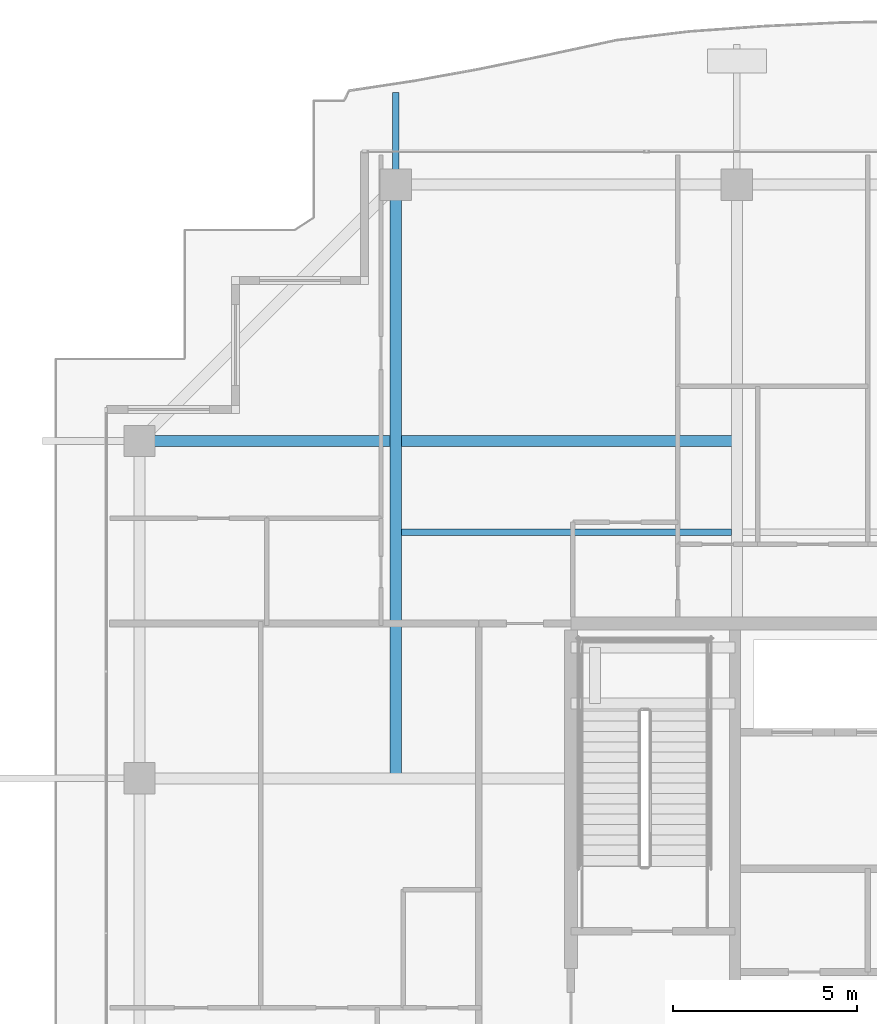
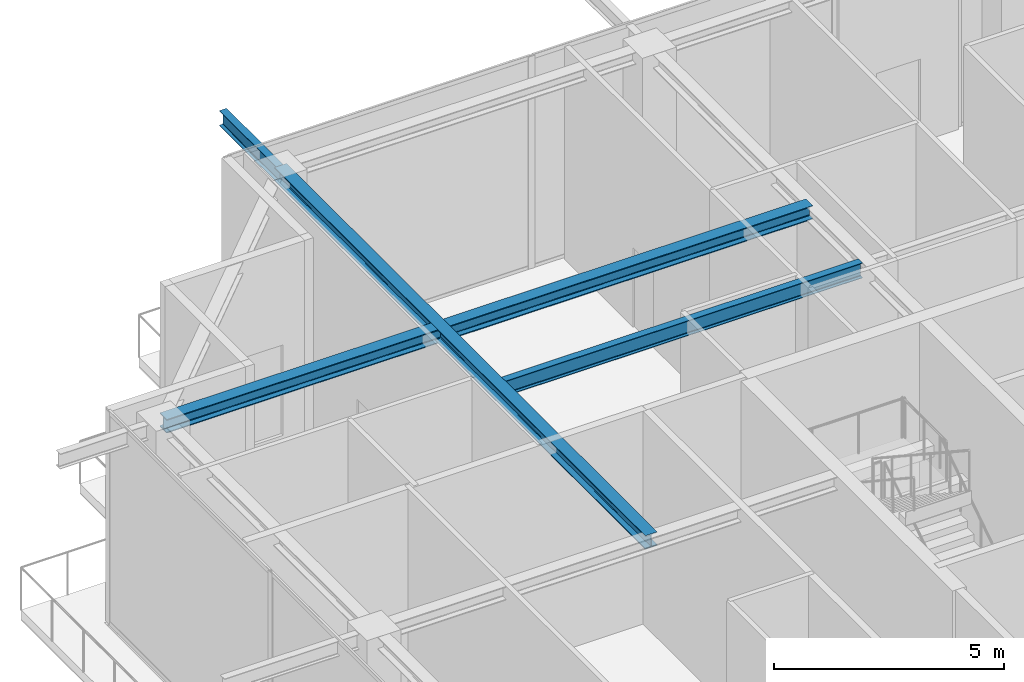
# One storey, part 20 of 40: 4 beams.
"""IFC4 building model written with IfcOpenShell, lengths in metres."""

from ifc_helpers import new_model, si_unit, direction, frame, origin, origin_2d, place, context, subcontext, project, spatial, i_section, extrude, source, transform, mapped, material, material_profile, profile_set, type_object, element, save


model = new_model("IFC4")

# Units and contexts
model_context = context("Model", 3, precision=1e-05, world=origin(), true_north=direction((0.0, 1.0)))
body_context = subcontext(model_context, "Body", "Model", "MODEL_VIEW")
ifc_project = project(units=[si_unit("LENGTHUNIT", "METRE"), si_unit("AREAUNIT", "SQUARE_METRE"), si_unit("VOLUMEUNIT", "CUBIC_METRE"), si_unit("PLANEANGLEUNIT", "RADIAN"), si_unit("MASSUNIT", "GRAM", prefix="KILO")], contexts=[model_context])

# Site, building, storey
site_placement = place(None, origin())
site = spatial("IfcSite", under=ifc_project, at=site_placement, CompositionType="ELEMENT")
building_placement = place(site_placement, origin())
building = spatial("IfcBuilding", under=site, at=building_placement, Name="Serunith Strait Residences", CompositionType="ELEMENT")
storey_placement = place(building_placement, frame((0.0, 0.0, 347.949951171875)))
storey = spatial("IfcBuildingStorey", under=building, at=storey_placement, Name="L86", CompositionType="ELEMENT", Elevation=347.949951171875)

# Beams
ifc_material = material(Name="Steel S355J2", Category="steel")
ifc_material_profile_1 = material_profile(ifc_material, i_section(OverallWidth=0.300048828125, OverallDepth=0.360107421875, WebThickness=0.012451171875, FlangeThickness=0.0224609375, FilletRadius=0.027099609375, at=origin_2d()), Name="HEB 360")
ifc_profile_set_1 = profile_set([ifc_material_profile_1], Name="Steel S355J2")
beam_type_1 = type_object("IfcBeamType", Name="BM-HEB360", PredefinedType="BEAM", material=ifc_profile_set_1)
shared_shape_1 = source(origin(), body_context, "Body", "SweptSolid", [
    extrude(i_section(OverallWidth=0.300048828125, OverallDepth=0.360107421875, WebThickness=0.012451171875, FlangeThickness=0.0224609375, FilletRadius=0.027099609375, at=origin_2d()), origin(), (0.0, 0.0, 1.0), 16.10009765625),
])
beam_1_placement = place(storey_placement, frame((18.64990234375, 29.39990234375, 5.45703125), z_axis=(0.0, 1.0, 0.0), x_axis=(-1.0, 0.0, 0.0)))
element("IfcBeam", 1, at=beam_1_placement, inside=storey, type_object=beam_type_1, Name="L86 Orthogonal Corner Girder TC-N1", PredefinedType="BEAM", context=body_context, shape_type="MappedRepresentation", body=[
    mapped(shared_shape_1, transform((0.0, 0.0, 0.0), scale=1.0)),
])
shared_shape_2 = source(origin(), body_context, "Body", "SweptSolid", [
    extrude(i_section(OverallWidth=0.300048828125, OverallDepth=0.360107421875, WebThickness=0.012451171875, FlangeThickness=0.0224609375, FilletRadius=0.027099609375, at=origin_2d()), origin(), (0.0, 0.0, 1.0), 16.199951171875),
])
beam_2_placement = place(storey_placement, frame((27.89990234375, 38.550048828125, 5.45703125), z_axis=(-1.0, 0.0, 0.0), x_axis=(0.0, -1.0, 0.0)))
element("IfcBeam", 2, at=beam_2_placement, inside=storey, type_object=beam_type_1, Name="L86 Orthogonal Corner Girder TC-W4", PredefinedType="BEAM", context=body_context, shape_type="MappedRepresentation", body=[
    mapped(shared_shape_2, transform((0.0, 0.0, 0.0), scale=1.0)),
])
ifc_material_profile_2 = material_profile(ifc_material, i_section(OverallWidth=0.179931640625, OverallDepth=0.39990234375, WebThickness=0.008544921875, FlangeThickness=0.013427734375, FilletRadius=0.02099609375, at=origin_2d()), Name="IPE 400")
ifc_profile_set_2 = profile_set([ifc_material_profile_2], Name="Steel S355J2")
beam_type_2 = type_object("IfcBeamType", Name="BM-IPE400", PredefinedType="JOIST", material=ifc_profile_set_2)
shared_shape_3 = source(origin(), body_context, "Body", "SweptSolid", [
    extrude(i_section(OverallWidth=0.179931640625, OverallDepth=0.39990234375, WebThickness=0.008544921875, FlangeThickness=0.013427734375, FilletRadius=0.02099609375, at=origin_2d()), origin(), (0.0, 0.0, 1.0), 8.949951171875),
])
beam_3_placement = place(storey_placement, frame((18.800048828125, 36.074951171875, 5.43701171875), z_axis=(1.0, 0.0, 0.0), x_axis=(0.0, 1.0, 0.0)))
element("IfcBeam", 3, at=beam_3_placement, inside=storey, type_object=beam_type_2, Name="L86 Composite Floor Joist 04", PredefinedType="JOIST", context=body_context, shape_type="MappedRepresentation", body=[
    mapped(shared_shape_3, transform((0.0, 0.0, 0.0), scale=1.0)),
])
shared_shape_4 = source(origin(), body_context, "Body", "SweptSolid", [
    extrude(i_section(OverallWidth=0.179931640625, OverallDepth=0.39990234375, WebThickness=0.008544921875, FlangeThickness=0.013427734375, FilletRadius=0.02099609375, at=origin_2d()), origin(), (0.0, 0.0, 1.0), 2.4951171875),
])
beam_4_placement = place(storey_placement, frame((18.64990234375, 45.5, 5.406982421875), z_axis=(0.0, 1.0, 0.0), x_axis=(-1.0, 0.0, 0.0)))
element("IfcBeam", 4, at=beam_4_placement, inside=storey, type_object=beam_type_2, Name="L87 Cantilevered Balcony Rib TC-N1", PredefinedType="JOIST", context=body_context, shape_type="MappedRepresentation", body=[
    mapped(shared_shape_4, transform((0.0, 0.0, 0.0), scale=1.0)),
])

save(model, "model.ifc")
